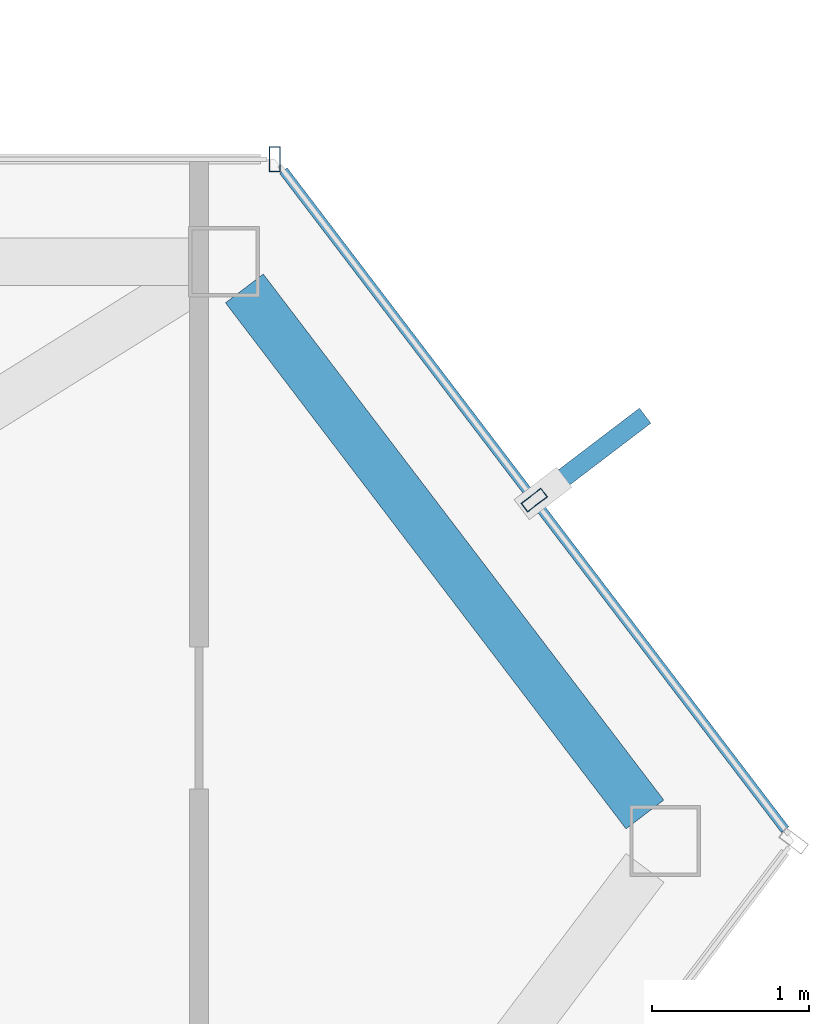
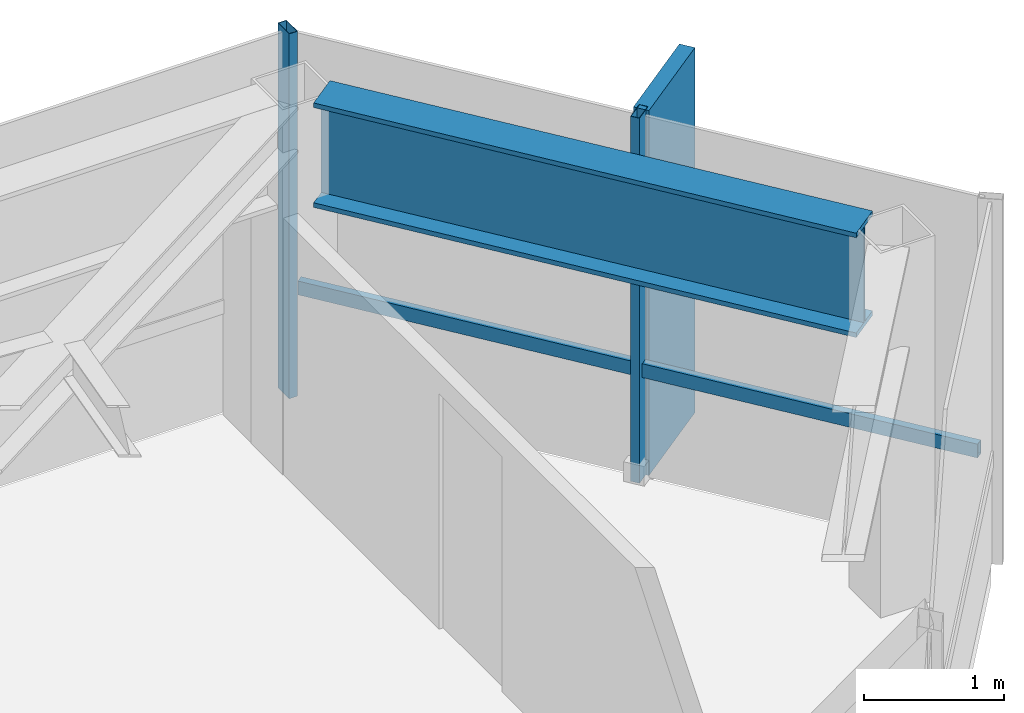
# One storey, part 19 of 23: 4 members, 1 beam, 2 elements without a shape of their own.
"""IFC4 building model written with IfcOpenShell, lengths in metres."""

from ifc_helpers import new_model, si_unit, direction, frame, origin, origin_2d, place, context, subcontext, project, spatial, rectangle, hollow_rectangle, i_section, extrude, material, layer, layer_set, material_profile, profile_set, type_object, element, aggregate, save


model = new_model("IFC4")

# Units and contexts
model_context = context("Model", 3, precision=1e-05, world=origin(), true_north=direction((0.0, 1.0)))
body_context = subcontext(model_context, "Body", "Model", "MODEL_VIEW")
ifc_project = project(units=[si_unit("LENGTHUNIT", "METRE"), si_unit("AREAUNIT", "SQUARE_METRE"), si_unit("VOLUMEUNIT", "CUBIC_METRE"), si_unit("PLANEANGLEUNIT", "RADIAN"), si_unit("MASSUNIT", "GRAM", prefix="KILO")], contexts=[model_context])

# Site, building, storey
site_placement = place(None, origin())
site = spatial("IfcSite", under=ifc_project, at=site_placement, CompositionType="ELEMENT")
building_placement = place(site_placement, origin())
building = spatial("IfcBuilding", under=site, at=building_placement, Name="Zarrinselat Tower", CompositionType="ELEMENT")
storey_placement = place(building_placement, frame((0.0, 0.0, 282.199951171875)))
storey = spatial("IfcBuildingStorey", under=building, at=storey_placement, Name="L72", CompositionType="ELEMENT", Elevation=282.199951171875)

# Beam
ifc_material_1 = material(Name="Steel S460M", Category="steel")
ifc_material_profile_1 = material_profile(ifc_material_1, i_section(OverallWidth=0.302001953125, OverallDepth=0.909912109375, WebThickness=0.02099609375, FlangeThickness=0.0400390625, at=origin_2d()), Name="HEM 900")
ifc_profile_set_1 = profile_set([ifc_material_profile_1], Name="Steel S460M")
beam_type = type_object("IfcBeamType", Name="BM-HEM900", PredefinedType="BEAM", material=ifc_profile_set_1)
beam_placement = place(storey_placement, frame((56.76220703125, 46.813720703125, 2.72509765625), z_axis=(0.605808419046, -0.79561055763, 0.0), x_axis=(0.79561055763, 0.605808419046, 0.0)))
element("IfcBeam", 1, at=beam_placement, inside=storey, type_object=beam_type, Name="L72 Perimeter Spandrel Girder SP15", PredefinedType="BEAM", context=body_context, shape_type="SweptSolid", body=[
    extrude(i_section(OverallWidth=0.302001953125, OverallDepth=0.909912109375, WebThickness=0.02099609375, FlangeThickness=0.0400390625, at=origin_2d()), origin(), (0.0, 0.0, 1.0), 4.198486328125),
])

# Curtain wall, member
ifc_material_2 = material(Name="Extruded Aluminium Alloy EN AW-6063 T6", Category="aluminium")
ifc_layer = layer(ifc_material_2, 0.169921875)
ifc_layer_set = layer_set([ifc_layer], Name="Extruded Aluminium Alloy EN AW-6063 T6")
curtain_wall_type = type_object("IfcCurtainWallType", Name="CWS-RES", PredefinedType="NOTDEFINED", material=ifc_layer_set)
curtain_wall_1_placement = place(storey_placement, origin())
curtain_wall_1 = element("IfcCurtainWall", 2, at=curtain_wall_1_placement, inside=storey, type_object=curtain_wall_type, Name="L72 Unitised Curtain Wall CW-L72-E01", PredefinedType="NOTDEFINED")
ifc_material_3 = material(Name="Extruded Aluminium Alloy EN AW-6063 T6", Category="aluminium")
ifc_material_profile_2 = material_profile(ifc_material_3, hollow_rectangle(XDim=0.070068359375, YDim=0.159912109375, WallThickness=0.00390625, at=origin_2d()), Name="RHS 160x70x4")
ifc_profile_set_2 = profile_set([ifc_material_profile_2], Name="Extruded Aluminium Alloy EN AW-6063 T6")
member_type_1 = type_object("IfcMemberType", Name="MEM-CW-MUL2", PredefinedType="MULLION", material=ifc_profile_set_2)
member_1_placement = place(storey_placement, frame((56.955322265625, 47.63330078125, 0.0), z_axis=(0.0, 0.0, 1.0), x_axis=(-1.0, 0.0, 0.0)))
member_1 = element("IfcMember", 3, at=member_1_placement, type_object=member_type_1, Name="CW-L72-E01 Mullion 0", PredefinedType="MULLION", context=body_context, shape_type="SweptSolid", body=[
    extrude(hollow_rectangle(XDim=0.070068359375, YDim=0.159912109375, WallThickness=0.00390625, at=origin_2d()), origin(), (0.0, 0.0, 1.0), 3.179931640625),
])
aggregate(curtain_wall_1, [member_1])

# Curtain wall, members
curtain_wall_2_placement = place(storey_placement, origin())
curtain_wall_2 = element("IfcCurtainWall", 4, at=curtain_wall_2_placement, inside=storey, type_object=curtain_wall_type, Name="L72 Unitised Curtain Wall CW-L72-E06", PredefinedType="NOTDEFINED")
member_2_placement = place(storey_placement, frame((58.602783203125, 45.469482421875, 0.0), z_axis=(0.0, 0.0, 1.0), x_axis=(-0.605773416753, 0.795637208503, 0.0)))
member_2 = element("IfcMember", 5, at=member_2_placement, type_object=member_type_1, Name="CW-L72-E06 Mullion 1", PredefinedType="MULLION", context=body_context, shape_type="SweptSolid", body=[
    extrude(hollow_rectangle(XDim=0.070068359375, YDim=0.159912109375, WallThickness=0.00390625, at=origin_2d()), origin(), (0.0, 0.0, 1.0), 3.179931640625),
])
ifc_material_4 = material(Name="Extruded Aluminium Alloy EN AW-6063 T6", Category="aluminium")
ifc_material_profile_3 = material_profile(ifc_material_4, hollow_rectangle(XDim=0.06005859375, YDim=0.1201171875, WallThickness=0.00390625, at=origin_2d()), Name="RHS 120x60x4")
ifc_profile_set_3 = profile_set([ifc_material_profile_3], Name="Extruded Aluminium Alloy EN AW-6063 T6")
member_type_2 = type_object("IfcMemberType", Name="MEM-CW-TRN2", PredefinedType="USERDEFINED", material=ifc_profile_set_3)
member_3_placement = place(storey_placement, frame((60.19580078125, 43.377197265625, 0.949951171875), z_axis=(-0.605748063656, 0.795656510925, 0.0), x_axis=(-0.795656510925, -0.605748063656, 0.0)))
member_3 = element("IfcMember", 6, at=member_3_placement, type_object=member_type_2, Name="CW-L72-E06 Transom 1", ObjectType="TRANSOM", PredefinedType="USERDEFINED", context=body_context, shape_type="SweptSolid", body=[
    extrude(hollow_rectangle(XDim=0.06005859375, YDim=0.1201171875, WallThickness=0.00390625, at=origin_2d()), origin(), (0.0, 0.0, 1.0), 5.25927734375),
])
ifc_material_5 = material(Name="Honed Cream Travertine Stone", Category="masonry")
ifc_material_profile_4 = material_profile(ifc_material_5, rectangle(XDim=0.1201171875, YDim=0.85009765625, at=origin_2d()), Name="FIN 850x120")
ifc_profile_set_4 = profile_set([ifc_material_profile_4], Name="Honed Cream Travertine Stone")
member_type_3 = type_object("IfcMemberType", Name="MEM-STONE-FIN", PredefinedType="USERDEFINED", material=ifc_profile_set_4)
member_4_placement = place(storey_placement, frame((58.968994140625, 45.748291015625, 0.0), z_axis=(0.0, 0.0, 1.0), x_axis=(0.605773416753, -0.795637208503, 0.0)))
member_4 = element("IfcMember", 7, at=member_4_placement, type_object=member_type_3, Name="L72 Stone Shading Fin CW-L72-E06-01", ObjectType="FIN", PredefinedType="USERDEFINED", context=body_context, shape_type="SweptSolid", body=[
    extrude(rectangle(XDim=0.1201171875, YDim=0.85009765625, at=origin_2d()), origin(), (0.0, 0.0, 1.0), 3.179931640625),
])
aggregate(curtain_wall_2, [member_2, member_4, member_3])

save(model, "model.ifc")
